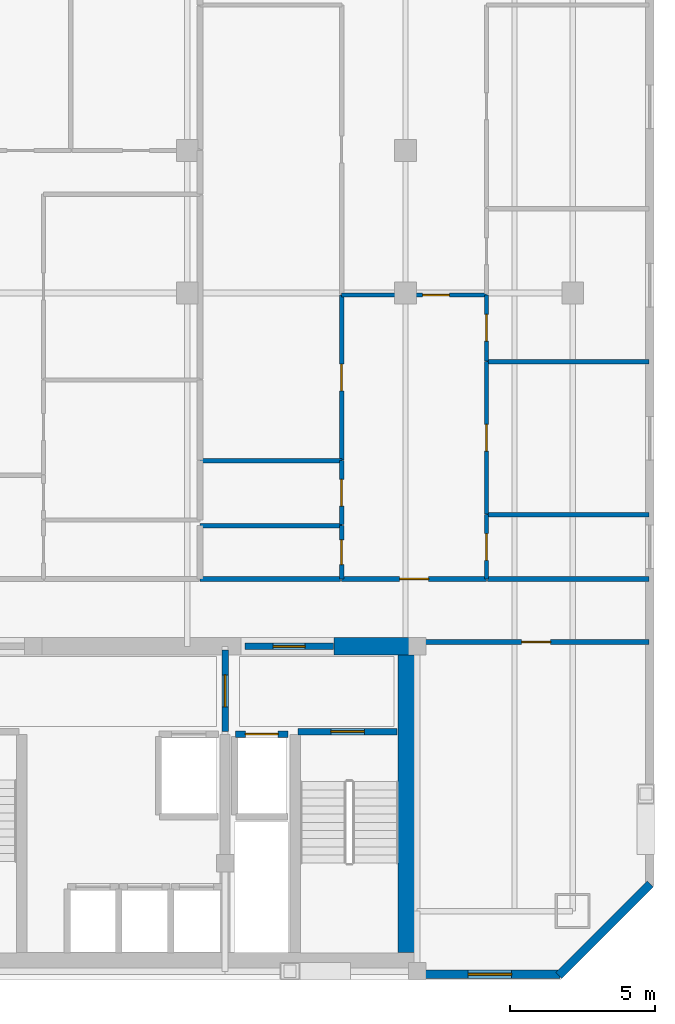
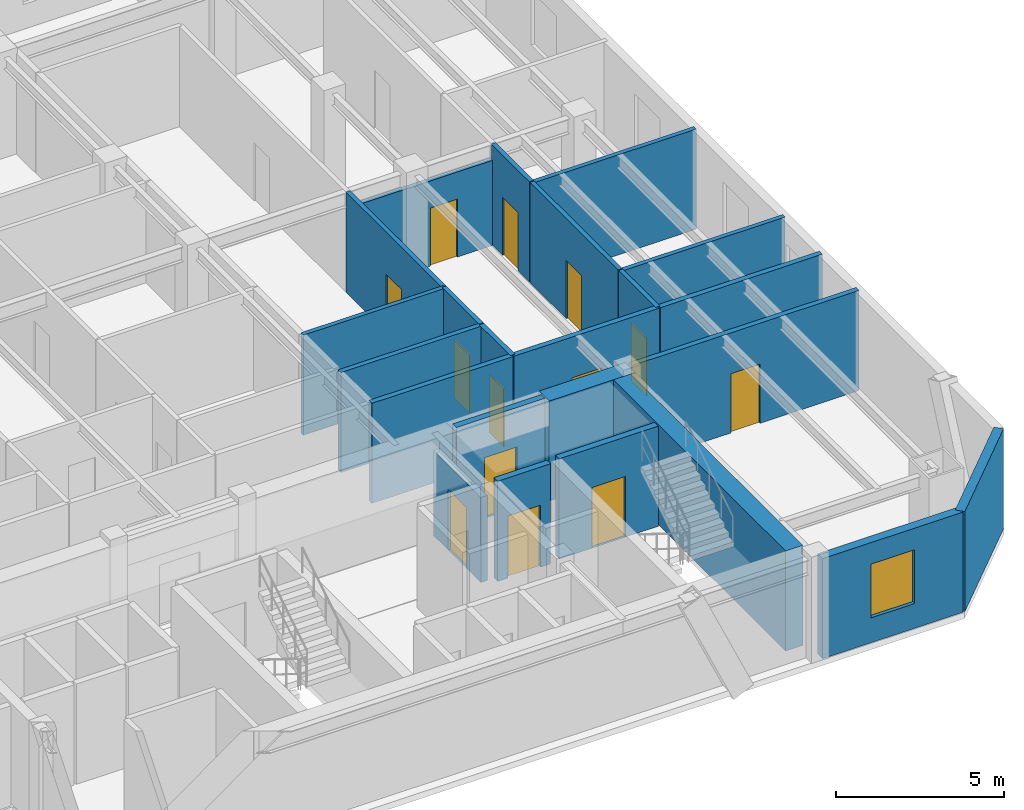
# One storey, part 5 of 8: 23 walls, 13 doors, 1 window, 14 openings.
"""IFC4 building model written with IfcOpenShell, lengths in metres."""

import ifcopenshell
import ifcopenshell.guid

model = None  # the IFC model being written
_history = None  # IfcOwnerHistory: only IFC2X3 demands one
_inside = {}  # id of a spatial element -> (the spatial element, [elements in it])
_under = {}  # id of a project, library or spatial element -> (it, [spatial elements below it])
_declared = {}  # id of a project -> (the project, [libraries it declares])
_typed = {}  # id of a type object -> (the type object, [elements of that type])
_made_of = {}  # id of a material, layer set ... -> (it, [elements and type objects made of it])


def new_model(schema):
    """Start an empty IFC model of exactly this schema.

    Asked for "IFC4X3", IfcOpenShell would pick the latest addendum, in which some entities
    have other attributes; the version numbers below select the first issue.
    IFC2X3 requires an IfcOwnerHistory on every rooted entity: one is made here for all.
    """
    global model, _history
    if schema == "IFC4X3":
        model = ifcopenshell.file(schema_version=(4, 3, 0, 0))
    else:
        model = ifcopenshell.file(schema=schema)
    _inside.clear()
    _under.clear()
    _declared.clear()
    _typed.clear()
    _made_of.clear()
    _history = None
    if model.schema == "IFC2X3":
        org = make("IfcOrganization", Name="unknown")
        user = make(
            "IfcPersonAndOrganization",
            ThePerson=make("IfcPerson", FamilyName="unknown"),
            TheOrganization=org,
        )
        app = make(
            "IfcApplication",
            ApplicationDeveloper=org,
            Version="unknown",
            ApplicationFullName="unknown",
            ApplicationIdentifier="unknown",
        )
        _history = make(
            "IfcOwnerHistory",
            OwningUser=user,
            OwningApplication=app,
            ChangeAction="ADDED",
            CreationDate=0,
        )
    return model


def make(cls, **values):
    """One entity of the class cls with the attributes given. An attribute that is None is left unset."""
    return model.create_entity(
        cls, **{name: value for name, value in values.items() if value is not None}
    )


def rooted(cls, **values):
    """An entity with a GlobalId (a new one), such as an element, a storey or a relation."""
    return make(cls, GlobalId=ifcopenshell.guid.new(), OwnerHistory=_history, **values)


def si_unit(unit_type, name, prefix=None):
    """IfcSIUnit, for example si_unit("LENGTHUNIT", "METRE", prefix="MILLI")."""
    return make("IfcSIUnit", UnitType=unit_type, Prefix=prefix, Name=name)


def assignment(units):
    """IfcUnitAssignment: the units of a project."""
    return None if units is None else make("IfcUnitAssignment", Units=units)


def point(xyz):
    """IfcCartesianPoint."""
    return None if xyz is None else make("IfcCartesianPoint", Coordinates=xyz)


def direction(xyz):
    """IfcDirection."""
    return None if xyz is None else make("IfcDirection", DirectionRatios=xyz)


def frame(location, z_axis=None, x_axis=None):
    """IfcAxis2Placement3D, a coordinate frame: its origin and axes. An axis left out is left unset."""
    return make(
        "IfcAxis2Placement3D",
        Location=point(location),
        Axis=direction(z_axis),
        RefDirection=direction(x_axis),
    )


def frame_2d(location, x_axis=None):
    """IfcAxis2Placement2D, a coordinate frame in the plane: its origin and x axis."""
    return make(
        "IfcAxis2Placement2D", Location=point(location), RefDirection=direction(x_axis)
    )


def origin():
    """The frame at (0, 0, 0) with its axes left unset."""
    return frame((0.0, 0.0, 0.0))


def place(relative_to, where):
    """IfcLocalPlacement: puts the frame where relative to a parent placement (None: the world)."""
    return make(
        "IfcLocalPlacement", PlacementRelTo=relative_to, RelativePlacement=where
    )


def context(
    kind, dimensions, precision=None, world=None, true_north=None, identifier=None
):
    """IfcGeometricRepresentationContext, for example the 3D "Model" context."""
    return make(
        "IfcGeometricRepresentationContext",
        ContextIdentifier=identifier,
        ContextType=kind,
        CoordinateSpaceDimension=dimensions,
        Precision=precision,
        WorldCoordinateSystem=world,
        TrueNorth=true_north,
    )


def subcontext(parent, identifier, kind, view, scale=None):
    """IfcGeometricRepresentationSubContext, for example "Body" below "Model"."""
    return make(
        "IfcGeometricRepresentationSubContext",
        ContextIdentifier=identifier,
        ContextType=kind,
        ParentContext=parent,
        TargetScale=scale,
        TargetView=view,
    )


def project(units=None, contexts=None):
    """IfcProject with its units and contexts."""
    return rooted(
        "IfcProject",
        Name="project",
        RepresentationContexts=contexts,
        UnitsInContext=assignment(units),
    )


def spatial(cls, under=None, at=None, **own):
    """A site, building, storey or space (cls), placed at a placement, below another one or the project."""
    s = rooted(cls, ObjectPlacement=at, **own)
    if under is not None:
        _under.setdefault(under.id(), (under, []))[1].append(s)
    return s


def profile(cls, at=None, kind="AREA", **sizes):
    """A parametric profile (cls). Its sizes go by their IFC names, for example OverallWidth=200.0."""
    return make(cls, ProfileType=kind, Position=at, **sizes)


def rectangle(**sizes):
    """IfcRectangleProfileDef."""
    return profile("IfcRectangleProfileDef", **sizes)


def extrude(swept, where, along, depth):
    """IfcExtrudedAreaSolid: the profile swept, set in the frame where, extruded along a direction by depth."""
    return make(
        "IfcExtrudedAreaSolid",
        SweptArea=swept,
        Position=where,
        ExtrudedDirection=direction(along),
        Depth=depth,
    )


def shape(context_of_items, identifier, shape_type, items):
    """IfcShapeRepresentation: the items that make up one representation, for example the "Body"."""
    return make(
        "IfcShapeRepresentation",
        ContextOfItems=context_of_items,
        RepresentationIdentifier=identifier,
        RepresentationType=shape_type,
        Items=items,
    )


def material(Name=None, Category=None):
    """IfcMaterial."""
    return make("IfcMaterial", Name=Name, Category=Category)


def layer(
    of_material, thickness, ventilated=None, Name=None, Category=None, Priority=None
):
    """IfcMaterialLayer: one layer of a wall or slab, of a material (None: an air gap)."""
    return make(
        "IfcMaterialLayer",
        Material=of_material,
        LayerThickness=thickness,
        IsVentilated=ventilated,
        Name=Name,
        Category=Category,
        Priority=Priority,
    )


def layer_set(layers, Name=None):
    """IfcMaterialLayerSet."""
    return make("IfcMaterialLayerSet", MaterialLayers=layers, LayerSetName=Name)


def made_of(thing, what):
    """Note that an element or type object is made of a material, layer set ...; save() writes the relation."""
    if what is not None:
        _made_of.setdefault(what.id(), (what, []))[1].append(thing)
    return thing


def type_object(cls, material=None, **own):
    """A type object (cls), such as IfcWallType, which elements share."""
    return made_of(rooted(cls, **own), material)


def element(
    cls,
    number,
    at=None,
    inside=None,
    cuts=None,
    type_object=None,
    material=None,
    context=None,
    identifier="Body",
    shape_type=None,
    held_by="IfcProductDefinitionShape",
    body=None,
    shapes=None,
    **own,
):
    """One element of the class cls, such as IfcWall. Its Tag is "e" and its number.

    at: its placement. inside: the storey or other place that contains it. cuts: it is an
    opening in that element (IfcRelVoidsElement). A single representation is given by context,
    identifier, shape_type and body (its items); several are given by shapes. held_by: the class
    of the entity that holds the representations. save() writes the other relations.
    """
    e = rooted(cls, Tag="e%d" % number, ObjectPlacement=at, **own)
    if body is not None:
        shapes = [shape(context, identifier, shape_type, body)]
    if shapes is not None:
        e.Representation = make(held_by, Representations=shapes)
    if inside is not None:
        _inside.setdefault(inside.id(), (inside, []))[1].append(e)
    if cuts is not None:
        rooted(
            "IfcRelVoidsElement", RelatingBuildingElement=cuts, RelatedOpeningElement=e
        )
    if type_object is not None:
        _typed.setdefault(type_object.id(), (type_object, []))[1].append(e)
    return made_of(e, material)


def fill(opening, filler):
    """IfcRelFillsElement: the door or window that sits in an opening."""
    return rooted(
        "IfcRelFillsElement",
        RelatingOpeningElement=opening,
        RelatedBuildingElement=filler,
    )


def aggregate(whole, parts):
    """IfcRelAggregates: a whole, such as a stair, and the parts it consists of."""
    return rooted("IfcRelAggregates", RelatingObject=whole, RelatedObjects=parts)


def save(model, path):
    """Write the relations noted so far, then the file.

    IfcRelAggregates (storeys below a building ...), IfcRelContainedInSpatialStructure (elements
    in a storey), IfcRelDefinesByType, IfcRelAssociatesMaterial and IfcRelDeclares: one each for
    every whole, place, type object, material and project.
    """
    for whole, parts in _under.values():
        aggregate(whole, parts)
    for where, things in _inside.values():
        rooted(
            "IfcRelContainedInSpatialStructure",
            RelatedElements=things,
            RelatingStructure=where,
        )
    for kind, things in _typed.values():
        rooted("IfcRelDefinesByType", RelatedObjects=things, RelatingType=kind)
    for what, things in _made_of.values():
        rooted("IfcRelAssociatesMaterial", RelatedObjects=things, RelatingMaterial=what)
    for by, libraries in _declared.values():
        rooted("IfcRelDeclares", RelatingContext=by, RelatedDefinitions=libraries)
    model.write(path)


model = new_model("IFC4")

# Units and contexts
model_context = context("Model", 3, precision=1e-05, world=origin(), true_north=direction((0.0, 1.0)))
body_context = subcontext(model_context, "Body", "Model", "MODEL_VIEW")
ifc_project = project(units=[si_unit("LENGTHUNIT", "METRE"), si_unit("AREAUNIT", "SQUARE_METRE"), si_unit("VOLUMEUNIT", "CUBIC_METRE"), si_unit("PLANEANGLEUNIT", "RADIAN"), si_unit("MASSUNIT", "GRAM", prefix="KILO")], contexts=[model_context])

# Site, building, storey
site_placement = place(None, origin())
site = spatial("IfcSite", under=ifc_project, at=site_placement, CompositionType="ELEMENT")
building_placement = place(site_placement, origin())
building = spatial("IfcBuilding", under=site, at=building_placement, Name="Ventersveld Concourse Tower", CompositionType="ELEMENT")
storey_placement = place(building_placement, frame((0.0, 0.0, 192.60009765625)))
storey = spatial("IfcBuildingStorey", under=building, at=storey_placement, Name="L47", CompositionType="ELEMENT", Elevation=192.60009765625)

# Walls
ifc_material_1 = material(Name="Concrete C50/60", Category="concrete")
ifc_layer_1 = layer(ifc_material_1, 0.60009765625)
ifc_layer_set_1 = layer_set([ifc_layer_1], Name="Concrete C50/60")
wall_type_1 = type_object("IfcWallType", Name="WL-CORE-600", PredefinedType="SHEAR", material=ifc_layer_set_1)
wall_1_placement = place(storey_placement, frame((43.800048828125, 0.919921875, 0.0), z_axis=(0.0, 0.0, 1.0), x_axis=(0.0, 1.0, 0.0)))
element("IfcWall", 1, at=wall_1_placement, inside=storey, type_object=wall_type_1, Name="L47 Rear Core East Shear Wall", PredefinedType="SHEAR", context=body_context, shape_type="SweptSolid", body=[
    extrude(rectangle(XDim=10.530029296875, YDim=0.60009765625, at=frame_2d((5.26513671875, 0.0))), origin(), (0.0, 0.0, 1.0), 3.6298828125),
])
wall_2_placement = place(storey_placement, frame((41.300048828125, 11.449951171875, 0.0), z_axis=(0.0, 0.0, 1.0), x_axis=(1.0, 0.0, 0.0)))
element("IfcWall", 2, at=wall_2_placement, inside=storey, type_object=wall_type_1, Name="L47 Rear Core North Shear Wall NE", PredefinedType="SHEAR", context=body_context, shape_type="SweptSolid", body=[
    extrude(rectangle(XDim=2.949951171875, YDim=0.60009765625, at=frame_2d((1.47509765625, 0.0))), origin(), (0.0, 0.0, 1.0), 3.6298828125),
])

# Wall, opening, door
ifc_material_2 = material(Name="Fire-rated autoclaved aerated masonry blockwork", Category="masonry")
ifc_layer_2 = layer(ifc_material_2, 0.179931640625)
ifc_layer_set_2 = layer_set([ifc_layer_2], Name="Fire-rated autoclaved aerated masonry blockwork")
wall_type_2 = type_object("IfcWallType", Name="WL-CORR-180", PredefinedType="PARTITIONING", material=ifc_layer_set_2)
wall_3_placement = place(storey_placement, frame((44.35498046875, 11.60009765625, 0.0), z_axis=(0.0, 0.0, 1.0), x_axis=(1.0, 0.0, 0.0)))
wall_3 = element("IfcWall", 3, at=wall_3_placement, inside=storey, type_object=wall_type_2, Name="L47 Interior Partition SP-L47-SE-OFF-SP-L47-COR", PredefinedType="PARTITIONING", context=body_context, shape_type="SweptSolid", body=[
    extrude(rectangle(XDim=7.7724609375, YDim=0.179931640625, at=frame_2d((3.88623046875, 0.0))), origin(), (0.0, 0.0, 1.0), 3.6298828125),
])
opening_1_placement = place(wall_3_placement, frame((3.38623046875, 0.0, 0.0)))
opening_1 = element("IfcOpeningElement", 4, at=opening_1_placement, cuts=wall_3, Name="Opening FD3", PredefinedType="OPENING", context=body_context, shape_type="SweptSolid", body=[
    extrude(rectangle(XDim=1.0, YDim=2.14990234375, at=frame_2d((0.5, 1.074951171875))), frame((0.0, 0.10009765625, 0.0), z_axis=(0.0, -1.0, 0.0), x_axis=(1.0, 0.0, 0.0)), (0.0, 0.0, 1.0), 0.199951171875),
])
ifc_material_3 = material(Name="Solid-core hardwood veneer timber", Category="wood")
door_type_1 = type_object("IfcDoorType", Name="DR-FLAT-100", OperationType="NOTDEFINED", PredefinedType="DOOR", material=ifc_material_3)
door_1_placement = place(opening_1_placement, origin())
door_1 = element("IfcDoor", 5, at=door_1_placement, inside=storey, type_object=door_type_1, Name="L47 Interior Door SP-L47-SE-OFF to SP-L47-COR (D-L47-2297)", OperationType="SINGLE_SWING_LEFT", OverallHeight=2.14990234375, OverallWidth=1.0, PredefinedType="DOOR", context=body_context, shape_type="SweptSolid", body=[
    extrude(rectangle(XDim=1.0, YDim=2.14990234375, at=frame_2d((0.5, 1.074951171875))), frame((0.0, 0.02490234375, 0.0), z_axis=(0.0, -1.0, 0.0), x_axis=(1.0, 0.0, 0.0)), (0.0, 0.0, 1.0), 0.050048828125),
])
fill(opening_1, door_1)

wall_4_placement = place(storey_placement, frame((41.5546875, 13.77001953125, 0.0), z_axis=(0.0, 0.0, 1.0), x_axis=(1.0, 0.0, 0.0)))
wall_4 = element("IfcWall", 6, at=wall_4_placement, inside=storey, type_object=wall_type_2, Name="L47 Interior Partition SP-L47-COR-SP-L47-47CE-FOY", PredefinedType="PARTITIONING", context=body_context, shape_type="SweptSolid", body=[
    extrude(rectangle(XDim=4.989990234375, YDim=0.179931640625, at=frame_2d((2.4951171875, 0.0))), origin(), (0.0, 0.0, 1.0), 3.6298828125),
])
opening_2_placement = place(wall_4_placement, frame((1.9951171875, 0.0, 0.0)))
opening_2 = element("IfcOpeningElement", 7, at=opening_2_placement, cuts=wall_4, Name="Opening FD3", PredefinedType="OPENING", context=body_context, shape_type="SweptSolid", body=[
    extrude(rectangle(XDim=1.0, YDim=2.14990234375, at=frame_2d((0.5, 1.074951171875))), frame((0.0, 0.10009765625, 0.0), z_axis=(0.0, -1.0, 0.0), x_axis=(1.0, 0.0, 0.0)), (0.0, 0.0, 1.0), 0.199951171875),
])
door_2_placement = place(opening_2_placement, origin())
door_2 = element("IfcDoor", 8, at=door_2_placement, inside=storey, type_object=door_type_1, Name="L47 Interior Door SP-L47-COR to SP-L47-47CE-FOY (FD-L47-2299)", OperationType="SINGLE_SWING_LEFT", OverallHeight=2.14990234375, OverallWidth=1.0, PredefinedType="DOOR", context=body_context, shape_type="SweptSolid", body=[
    extrude(rectangle(XDim=1.0, YDim=2.14990234375, at=frame_2d((0.5, 1.074951171875))), frame((0.0, 0.02490234375, 0.0), z_axis=(0.0, -1.0, 0.0), x_axis=(1.0, 0.0, 0.0)), (0.0, 0.0, 1.0), 0.050048828125),
])
fill(opening_2, door_2)

# Walls
wall_5_placement = place(storey_placement, frame((36.68505859375, 13.77001953125, 0.0), z_axis=(0.0, 0.0, 1.0), x_axis=(1.0, 0.0, 0.0)))
element("IfcWall", 9, at=wall_5_placement, inside=storey, type_object=wall_type_2, Name="L47 Interior Partition SP-L47-COR-SP-L47-47CE-BATH", PredefinedType="PARTITIONING", context=body_context, shape_type="SweptSolid", body=[
    extrude(rectangle(XDim=4.839599609375, YDim=0.179931640625, at=frame_2d((2.419921875, 0.0))), origin(), (0.0, 0.0, 1.0), 3.6298828125),
])
wall_6_placement = place(storey_placement, frame((46.57470703125, 13.77001953125, 0.0), z_axis=(0.0, 0.0, 1.0), x_axis=(1.0, 0.0, 0.0)))
element("IfcWall", 10, at=wall_6_placement, inside=storey, type_object=wall_type_2, Name="L47 Interior Partition SP-L47-COR-SP-L47-47CE-KIT", PredefinedType="PARTITIONING", context=body_context, shape_type="SweptSolid", body=[
    extrude(rectangle(XDim=5.552734375, YDim=0.179931640625, at=frame_2d((2.7763671875, 0.0))), origin(), (0.0, 0.0, 1.0), 3.6298828125),
])

# Wall, opening, door
ifc_layer_3 = layer(ifc_material_2, 0.219970703125)
ifc_layer_set_3 = layer_set([ifc_layer_3], Name="Fire-rated autoclaved aerated masonry blockwork")
wall_type_3 = type_object("IfcWallType", Name="WL-HOIST-220", PredefinedType="SOLIDWALL", material=ifc_layer_set_3)
wall_7_placement = place(storey_placement, frame((37.89990234375, 8.429931640625, 0.0), z_axis=(0.0, 0.0, 1.0), x_axis=(1.0, 0.0, 0.0)))
wall_7 = element("IfcWall", 11, at=wall_7_placement, inside=storey, type_object=wall_type_3, Name="L47 Lift Hoistway Front Wall FFL-02", PredefinedType="SOLIDWALL", context=body_context, shape_type="SweptSolid", body=[
    extrude(rectangle(XDim=1.820068359375, YDim=0.219970703125, at=frame_2d((0.91015625, 0.0))), origin(), (0.0, 0.0, 1.0), 3.6298828125),
])
opening_3_placement = place(wall_7_placement, frame((0.35009765625, 0.0, 0.0)))
opening_3 = element("IfcOpeningElement", 12, at=opening_3_placement, cuts=wall_7, Name="Opening LD1", PredefinedType="OPENING", context=body_context, shape_type="SweptSolid", body=[
    extrude(rectangle(XDim=1.1201171875, YDim=2.25, at=frame_2d((0.56005859375, 1.125))), frame((0.0, 0.1201171875, 0.0), z_axis=(0.0, -1.0, 0.0), x_axis=(1.0, 0.0, 0.0)), (0.0, 0.0, 1.0), 0.239990234375),
])
ifc_material_4 = material(Name="Brushed stainless steel 316", Category="steel")
door_type_2 = type_object("IfcDoorType", Name="LD-FF-112", OperationType="SLIDING_TO_LEFT", PredefinedType="DOOR", material=ifc_material_4)
door_3_placement = place(opening_3_placement, origin())
door_3 = element("IfcDoor", 13, at=door_3_placement, inside=storey, type_object=door_type_2, Name="L47 Lift landing door FFL-02 (LD-L47-FFL-02)", OperationType="SLIDING_TO_RIGHT", OverallHeight=2.25, OverallWidth=1.1201171875, PredefinedType="DOOR", context=body_context, shape_type="SweptSolid", body=[
    extrude(rectangle(XDim=1.1201171875, YDim=2.25, at=frame_2d((0.56005859375, 1.125))), frame((0.0, 0.02490234375, 0.0), z_axis=(0.0, -1.0, 0.0), x_axis=(1.0, 0.0, 0.0)), (0.0, 0.0, 1.0), 0.050048828125),
])
fill(opening_3, door_3)

wall_8_placement = place(storey_placement, frame((40.06005859375, 8.52001953125, 0.0), z_axis=(0.0, 0.0, 1.0), x_axis=(1.0, 0.0, 0.0)))
wall_8 = element("IfcWall", 14, at=wall_8_placement, inside=storey, type_object=wall_type_3, Name="L47 Escape Stair ST02 Fire Wall", PredefinedType="SOLIDWALL", context=body_context, shape_type="SweptSolid", body=[
    extrude(rectangle(XDim=3.39990234375, YDim=0.219970703125, at=frame_2d((1.699951171875, 0.0))), origin(), (0.0, 0.0, 1.0), 3.6298828125),
])
opening_4_placement = place(wall_8_placement, frame((1.125, 0.0, 0.0)))
opening_4 = element("IfcOpeningElement", 15, at=opening_4_placement, cuts=wall_8, Name="Opening FD1", PredefinedType="OPENING", context=body_context, shape_type="SweptSolid", body=[
    extrude(rectangle(XDim=1.14990234375, YDim=2.199951171875, at=frame_2d((0.574951171875, 1.10009765625))), frame((0.0, 0.1201171875, 0.0), z_axis=(0.0, -1.0, 0.0), x_axis=(1.0, 0.0, 0.0)), (0.0, 0.0, 1.0), 0.239990234375),
])
ifc_material_5 = material(Name="Galvanised painted steel", Category="steel")
door_type_3 = type_object("IfcDoorType", Name="DR-STAIR-115", OperationType="NOTDEFINED", PredefinedType="DOOR", material=ifc_material_5)
door_4_placement = place(opening_4_placement, origin())
door_4 = element("IfcDoor", 16, at=door_4_placement, inside=storey, type_object=door_type_3, Name="L47 Escape Stair Door ST02 (SD-L47-2288)", OperationType="SINGLE_SWING_RIGHT", OverallHeight=2.199951171875, OverallWidth=1.14990234375, PredefinedType="DOOR", context=body_context, shape_type="SweptSolid", body=[
    extrude(rectangle(XDim=1.14990234375, YDim=2.199951171875, at=frame_2d((0.574951171875, 1.10009765625))), frame((0.0, 0.02490234375, 0.0), z_axis=(0.0, -1.0, 0.0), x_axis=(1.0, 0.0, 0.0)), (0.0, 0.0, 1.0), 0.050048828125),
])
fill(opening_4, door_4)

wall_9_placement = place(storey_placement, frame((37.550048828125, 8.52001953125, 0.0), z_axis=(0.0, 0.0, 1.0), x_axis=(0.0, 1.0, 0.0)))
wall_9 = element("IfcWall", 17, at=wall_9_placement, inside=storey, type_object=wall_type_3, Name="L47 Firefighting Lobby Smoke-Stop Wall FFLE-SEP", PredefinedType="SOLIDWALL", context=body_context, shape_type="SweptSolid", body=[
    extrude(rectangle(XDim=2.800048828125, YDim=0.219970703125, at=frame_2d((1.39990234375, 0.0))), origin(), (0.0, 0.0, 1.0), 3.08544921875),
])
opening_5_placement = place(wall_9_placement, frame((0.85009765625, 0.0, 0.0)))
opening_5 = element("IfcOpeningElement", 18, at=opening_5_placement, cuts=wall_9, Name="Opening FD2", PredefinedType="OPENING", context=body_context, shape_type="SweptSolid", body=[
    extrude(rectangle(XDim=1.10009765625, YDim=2.199951171875, at=frame_2d((0.550048828125, 1.10009765625))), frame((0.0, 0.1201171875, 0.0), z_axis=(0.0, -1.0, 0.0), x_axis=(1.0, 0.0, 0.0)), (0.0, 0.0, 1.0), 0.239990234375),
])
door_type_4 = type_object("IfcDoorType", Name="DR-FFL-110", OperationType="NOTDEFINED", PredefinedType="DOOR", material=ifc_material_5)
door_5_placement = place(opening_5_placement, origin())
door_5 = element("IfcDoor", 19, at=door_5_placement, inside=storey, type_object=door_type_4, Name="L47 Firefighting Lobby Door FFLE-SEP (FD-L47-2291)", OperationType="SINGLE_SWING_RIGHT", OverallHeight=2.199951171875, OverallWidth=1.10009765625, PredefinedType="DOOR", context=body_context, shape_type="SweptSolid", body=[
    extrude(rectangle(XDim=1.10009765625, YDim=2.199951171875, at=frame_2d((0.550048828125, 1.10009765625))), frame((0.0, 0.02490234375, 0.0), z_axis=(0.0, -1.0, 0.0), x_axis=(1.0, 0.0, 0.0)), (0.0, 0.0, 1.0), 0.050048828125),
])
fill(opening_5, door_5)

wall_10_placement = place(storey_placement, frame((38.22998046875, 11.449951171875, 0.0), z_axis=(0.0, 0.0, 1.0), x_axis=(1.0, 0.0, 0.0)))
wall_10 = element("IfcWall", 20, at=wall_10_placement, inside=storey, type_object=wall_type_3, Name="L47 Core North Fire Portal FFLE-OUT", PredefinedType="SOLIDWALL", context=body_context, shape_type="SweptSolid", body=[
    extrude(rectangle(XDim=3.0400390625, YDim=0.219970703125, at=frame_2d((1.52001953125, 0.0))), origin(), (0.0, 0.0, 1.0), 3.6298828125),
])
opening_6_placement = place(wall_10_placement, frame((0.969970703125, 0.0, 0.0)))
opening_6 = element("IfcOpeningElement", 21, at=opening_6_placement, cuts=wall_10, Name="Opening FD2", PredefinedType="OPENING", context=body_context, shape_type="SweptSolid", body=[
    extrude(rectangle(XDim=1.10009765625, YDim=2.199951171875, at=frame_2d((0.550048828125, 1.10009765625))), frame((0.0, 0.1201171875, 0.0), z_axis=(0.0, -1.0, 0.0), x_axis=(1.0, 0.0, 0.0)), (0.0, 0.0, 1.0), 0.239990234375),
])
door_6_placement = place(opening_6_placement, origin())
door_6 = element("IfcDoor", 22, at=door_6_placement, inside=storey, type_object=door_type_4, Name="L47 Core Lobby Fire Door FFLE-OUT (FD-L47-2294)", OperationType="SINGLE_SWING_LEFT", OverallHeight=2.199951171875, OverallWidth=1.10009765625, PredefinedType="DOOR", context=body_context, shape_type="SweptSolid", body=[
    extrude(rectangle(XDim=1.10009765625, YDim=2.199951171875, at=frame_2d((0.550048828125, 1.10009765625))), frame((0.0, 0.02490234375, 0.0), z_axis=(0.0, -1.0, 0.0), x_axis=(1.0, 0.0, 0.0)), (0.0, 0.0, 1.0), 0.050048828125),
])
fill(opening_6, door_6)

ifc_material_6 = material(Name="Autoclaved aerated masonry blockwork", Category="masonry")
ifc_layer_4 = layer(ifc_material_6, 0.14990234375)
ifc_layer_set_4 = layer_set([ifc_layer_4], Name="Autoclaved aerated masonry blockwork")
wall_type_4 = type_object("IfcWallType", Name="WL-INT-150", PredefinedType="PARTITIONING", material=ifc_layer_set_4)
wall_11_placement = place(storey_placement, frame((41.5546875, 23.5283203125, 0.0), z_axis=(0.0, 0.0, 1.0), x_axis=(1.0, 0.0, 0.0)))
wall_11 = element("IfcWall", 23, at=wall_11_placement, inside=storey, type_object=wall_type_4, Name="L47 Interior Partition SP-L47-47CE-FOY-SP-L47-47CE-LIV", PredefinedType="PARTITIONING", context=body_context, shape_type="SweptSolid", body=[
    extrude(rectangle(XDim=4.989990234375, YDim=0.14990234375, at=frame_2d((2.4951171875, 0.0))), origin(), (0.0, 0.0, 1.0), 3.08544921875),
])
opening_7_placement = place(wall_11_placement, frame((2.783447265625, 0.0, 0.0)))
opening_7 = element("IfcOpeningElement", 24, at=opening_7_placement, cuts=wall_11, Name="Opening ID1", PredefinedType="OPENING", context=body_context, shape_type="SweptSolid", body=[
    extrude(rectangle(XDim=0.919921875, YDim=2.10009765625, at=frame_2d((0.4599609375, 1.050048828125))), frame((0.0, 0.0849609375, 0.0), z_axis=(0.0, -1.0, 0.0), x_axis=(1.0, 0.0, 0.0)), (0.0, 0.0, 1.0), 0.169921875),
])
door_type_5 = type_object("IfcDoorType", Name="DR-ROOM-092", OperationType="NOTDEFINED", PredefinedType="DOOR", material=ifc_material_3)
door_7_placement = place(opening_7_placement, origin())
door_7 = element("IfcDoor", 25, at=door_7_placement, inside=storey, type_object=door_type_5, Name="L47 Interior Door SP-L47-47CE-FOY to SP-L47-47CE-LIV (D-L47-2310)", OperationType="SINGLE_SWING_RIGHT", OverallHeight=2.10009765625, OverallWidth=0.919921875, PredefinedType="DOOR", context=body_context, shape_type="SweptSolid", body=[
    extrude(rectangle(XDim=0.919921875, YDim=2.10009765625, at=frame_2d((0.4599609375, 1.050048828125))), frame((0.0, 0.02490234375, 0.0), z_axis=(0.0, -1.0, 0.0), x_axis=(1.0, 0.0, 0.0)), (0.0, 0.0, 1.0), 0.050048828125),
])
fill(opening_7, door_7)

wall_12_placement = place(storey_placement, frame((41.5595703125, 15.635009765625, 0.0), z_axis=(0.0, 0.0, 1.0), x_axis=(0.0, 1.0, 0.0)))
wall_12 = element("IfcWall", 26, at=wall_12_placement, inside=storey, type_object=wall_type_4, Name="L47 Interior Partition SP-L47-47CE-FOY-SP-L47-47CE-PANL0", PredefinedType="PARTITIONING", context=body_context, shape_type="SweptSolid", body=[
    extrude(rectangle(XDim=2.197021484375, YDim=0.14990234375, at=frame_2d((1.0986328125, 0.0))), origin(), (0.0, 0.0, 1.0), 3.6298828125),
])
opening_8_placement = place(wall_12_placement, frame((0.638671875, 0.0, 0.0)))
opening_8 = element("IfcOpeningElement", 27, at=opening_8_placement, cuts=wall_12, Name="Opening ID1", PredefinedType="OPENING", context=body_context, shape_type="SweptSolid", body=[
    extrude(rectangle(XDim=0.919921875, YDim=2.10009765625, at=frame_2d((0.4599609375, 1.050048828125))), frame((0.0, 0.0849609375, 0.0), z_axis=(0.0, -1.0, 0.0), x_axis=(1.0, 0.0, 0.0)), (0.0, 0.0, 1.0), 0.169921875),
])
door_8_placement = place(opening_8_placement, origin())
door_8 = element("IfcDoor", 28, at=door_8_placement, inside=storey, type_object=door_type_5, Name="L47 Interior Door SP-L47-47CE-FOY to SP-L47-47CE-PANL0 (D-L47-2312)", OperationType="SINGLE_SWING_RIGHT", OverallHeight=2.10009765625, OverallWidth=0.919921875, PredefinedType="DOOR", context=body_context, shape_type="SweptSolid", body=[
    extrude(rectangle(XDim=0.919921875, YDim=2.10009765625, at=frame_2d((0.4599609375, 1.050048828125))), frame((0.0, 0.02490234375, 0.0), z_axis=(0.0, -1.0, 0.0), x_axis=(1.0, 0.0, 0.0)), (0.0, 0.0, 1.0), 0.050048828125),
])
fill(opening_8, door_8)

wall_13_placement = place(storey_placement, frame((41.5595703125, 17.862060546875, 0.0), z_axis=(0.0, 0.0, 1.0), x_axis=(0.0, 1.0, 0.0)))
wall_13 = element("IfcWall", 29, at=wall_13_placement, inside=storey, type_object=wall_type_4, Name="L47 Interior Partition SP-L47-47CE-FOY-SP-L47-47CE-DENL", PredefinedType="PARTITIONING", context=body_context, shape_type="SweptSolid", body=[
    extrude(rectangle(XDim=5.671142578125, YDim=0.14990234375, at=frame_2d((2.83544921875, 0.0))), origin(), (0.0, 0.0, 1.0), 3.6298828125),
])
opening_9_placement = place(wall_13_placement, frame((2.37548828125, 0.0, 0.0)))
opening_9 = element("IfcOpeningElement", 30, at=opening_9_placement, cuts=wall_13, Name="Opening ID1", PredefinedType="OPENING", context=body_context, shape_type="SweptSolid", body=[
    extrude(rectangle(XDim=0.919921875, YDim=2.10009765625, at=frame_2d((0.4599609375, 1.050048828125))), frame((0.0, 0.0849609375, 0.0), z_axis=(0.0, -1.0, 0.0), x_axis=(1.0, 0.0, 0.0)), (0.0, 0.0, 1.0), 0.169921875),
])
door_9_placement = place(opening_9_placement, origin())
door_9 = element("IfcDoor", 31, at=door_9_placement, inside=storey, type_object=door_type_5, Name="L47 Interior Door SP-L47-47CE-FOY to SP-L47-47CE-DENL (D-L47-2313)", OperationType="SINGLE_SWING_LEFT", OverallHeight=2.10009765625, OverallWidth=0.919921875, PredefinedType="DOOR", context=body_context, shape_type="SweptSolid", body=[
    extrude(rectangle(XDim=0.919921875, YDim=2.10009765625, at=frame_2d((0.4599609375, 1.050048828125))), frame((0.0, 0.02490234375, 0.0), z_axis=(0.0, -1.0, 0.0), x_axis=(1.0, 0.0, 0.0)), (0.0, 0.0, 1.0), 0.050048828125),
])
fill(opening_9, door_9)

wall_14_placement = place(storey_placement, frame((46.53955078125, 13.764892578125, 0.0), z_axis=(0.0, 0.0, 1.0), x_axis=(0.0, 1.0, 0.0)))
wall_14 = element("IfcWall", 32, at=wall_14_placement, inside=storey, type_object=wall_type_4, Name="L47 Interior Partition SP-L47-47CE-FOY-SP-L47-47CE-KIT", PredefinedType="PARTITIONING", context=body_context, shape_type="SweptSolid", body=[
    extrude(rectangle(XDim=2.2109375, YDim=0.14990234375, at=frame_2d((1.10546875, 0.0))), origin(), (0.0, 0.0, 1.0), 3.6298828125),
])
opening_10_placement = place(wall_14_placement, frame((0.6455078125, 0.0, 0.0)))
opening_10 = element("IfcOpeningElement", 33, at=opening_10_placement, cuts=wall_14, Name="Opening ID1", PredefinedType="OPENING", context=body_context, shape_type="SweptSolid", body=[
    extrude(rectangle(XDim=0.919921875, YDim=2.10009765625, at=frame_2d((0.4599609375, 1.050048828125))), frame((0.0, 0.0849609375, 0.0), z_axis=(0.0, -1.0, 0.0), x_axis=(1.0, 0.0, 0.0)), (0.0, 0.0, 1.0), 0.169921875),
])
door_10_placement = place(opening_10_placement, origin())
door_10 = element("IfcDoor", 34, at=door_10_placement, inside=storey, type_object=door_type_5, Name="L47 Interior Door SP-L47-47CE-FOY to SP-L47-47CE-KIT (D-L47-2314)", OperationType="SINGLE_SWING_RIGHT", OverallHeight=2.10009765625, OverallWidth=0.919921875, PredefinedType="DOOR", context=body_context, shape_type="SweptSolid", body=[
    extrude(rectangle(XDim=0.919921875, YDim=2.10009765625, at=frame_2d((0.4599609375, 1.050048828125))), frame((0.0, 0.02490234375, 0.0), z_axis=(0.0, -1.0, 0.0), x_axis=(1.0, 0.0, 0.0)), (0.0, 0.0, 1.0), 0.050048828125),
])
fill(opening_10, door_10)

wall_15_placement = place(storey_placement, frame((46.53955078125, 16.005859375, 0.0), z_axis=(0.0, 0.0, 1.0), x_axis=(0.0, 1.0, 0.0)))
wall_15 = element("IfcWall", 35, at=wall_15_placement, inside=storey, type_object=wall_type_4, Name="L47 Interior Partition SP-L47-47CE-FOY-SP-L47-47CE-DENR", PredefinedType="PARTITIONING", context=body_context, shape_type="SweptSolid", body=[
    extrude(rectangle(XDim=5.233642578125, YDim=0.14990234375, at=frame_2d((2.61669921875, 0.0))), origin(), (0.0, 0.0, 1.0), 3.6298828125),
])
opening_11_placement = place(wall_15_placement, frame((2.15673828125, 0.0, 0.0)))
opening_11 = element("IfcOpeningElement", 36, at=opening_11_placement, cuts=wall_15, Name="Opening ID1", PredefinedType="OPENING", context=body_context, shape_type="SweptSolid", body=[
    extrude(rectangle(XDim=0.919921875, YDim=2.10009765625, at=frame_2d((0.4599609375, 1.050048828125))), frame((0.0, 0.0849609375, 0.0), z_axis=(0.0, -1.0, 0.0), x_axis=(1.0, 0.0, 0.0)), (0.0, 0.0, 1.0), 0.169921875),
])
door_11_placement = place(opening_11_placement, origin())
door_11 = element("IfcDoor", 37, at=door_11_placement, inside=storey, type_object=door_type_5, Name="L47 Interior Door SP-L47-47CE-FOY to SP-L47-47CE-DENR (D-L47-2315)", OperationType="SINGLE_SWING_LEFT", OverallHeight=2.10009765625, OverallWidth=0.919921875, PredefinedType="DOOR", context=body_context, shape_type="SweptSolid", body=[
    extrude(rectangle(XDim=0.919921875, YDim=2.10009765625, at=frame_2d((0.4599609375, 1.050048828125))), frame((0.0, 0.02490234375, 0.0), z_axis=(0.0, -1.0, 0.0), x_axis=(1.0, 0.0, 0.0)), (0.0, 0.0, 1.0), 0.050048828125),
])
fill(opening_11, door_11)

wall_16_placement = place(storey_placement, frame((46.53955078125, 21.26953125, 0.0), z_axis=(0.0, 0.0, 1.0), x_axis=(0.0, 1.0, 0.0)))
wall_16 = element("IfcWall", 38, at=wall_16_placement, inside=storey, type_object=wall_type_4, Name="L47 Interior Partition SP-L47-47CE-FOY-SP-L47-47CE-DENS", PredefinedType="PARTITIONING", context=body_context, shape_type="SweptSolid", body=[
    extrude(rectangle(XDim=2.263671875, YDim=0.14990234375, at=frame_2d((1.1318359375, 0.0))), origin(), (0.0, 0.0, 1.0), 3.6298828125),
])
opening_12_placement = place(wall_16_placement, frame((0.671875, 0.0, 0.0)))
opening_12 = element("IfcOpeningElement", 39, at=opening_12_placement, cuts=wall_16, Name="Opening ID1", PredefinedType="OPENING", context=body_context, shape_type="SweptSolid", body=[
    extrude(rectangle(XDim=0.919921875, YDim=2.10009765625, at=frame_2d((0.4599609375, 1.050048828125))), frame((0.0, 0.0849609375, 0.0), z_axis=(0.0, -1.0, 0.0), x_axis=(1.0, 0.0, 0.0)), (0.0, 0.0, 1.0), 0.169921875),
])
door_12_placement = place(opening_12_placement, origin())
door_12 = element("IfcDoor", 40, at=door_12_placement, inside=storey, type_object=door_type_5, Name="L47 Interior Door SP-L47-47CE-FOY to SP-L47-47CE-DENS (D-L47-2316)", OperationType="SINGLE_SWING_RIGHT", OverallHeight=2.10009765625, OverallWidth=0.919921875, PredefinedType="DOOR", context=body_context, shape_type="SweptSolid", body=[
    extrude(rectangle(XDim=0.919921875, YDim=2.10009765625, at=frame_2d((0.4599609375, 1.050048828125))), frame((0.0, 0.02490234375, 0.0), z_axis=(0.0, -1.0, 0.0), x_axis=(1.0, 0.0, 0.0)), (0.0, 0.0, 1.0), 0.050048828125),
])
fill(opening_12, door_12)

# Walls
wall_17_placement = place(storey_placement, frame((36.68505859375, 17.8271484375, 0.0), z_axis=(0.0, 0.0, 1.0), x_axis=(1.0, 0.0, 0.0)))
element("IfcWall", 41, at=wall_17_placement, inside=storey, type_object=wall_type_4, Name="L47 Interior Partition SP-L47-47CE-PANL0-SP-L47-47CE-DENL", PredefinedType="PARTITIONING", context=body_context, shape_type="SweptSolid", body=[
    extrude(rectangle(XDim=4.879638671875, YDim=0.14990234375, at=frame_2d((2.43994140625, 0.0))), origin(), (0.0, 0.0, 1.0), 3.6298828125),
])
for number, where, z_axis, x_axis, name in (
    (42, (46.53466796875, 15.970947265625, 0.0), (0.0, 0.0, 1.0), (1.0, 0.0, 0.0), "L47 Interior Partition SP-L47-47CE-KIT-SP-L47-47CE-DENR"),
    (43, (46.53466796875, 21.234619140625, 0.0), (0.0, 0.0, 1.0), (1.0, 0.0, 0.0), "L47 Interior Partition SP-L47-47CE-DENR-SP-L47-47CE-DENS"),
):
    element("IfcWall", number, at=place(storey_placement, frame(where, z_axis=z_axis, x_axis=x_axis)), inside=storey, type_object=wall_type_4, Name=name, PredefinedType="PARTITIONING", context=body_context, shape_type="SweptSolid", body=[
        extrude(rectangle(XDim=5.5927734375, YDim=0.14990234375, at=frame_2d((2.79638671875, 0.0))), origin(), (0.0, 0.0, 1.0), 3.6298828125),
    ])

# Wall, opening, window
ifc_material_7 = material(Name="Precast concrete C45/55", Category="concrete")
ifc_layer_5 = layer(ifc_material_7, 0.300048828125)
ifc_layer_set_5 = layer_set([ifc_layer_5], Name="Precast concrete C45/55")
wall_type_5 = type_object("IfcWallType", Name="WL-PREC-300", PredefinedType="SOLIDWALL", material=ifc_layer_set_5)
wall_18_placement = place(storey_placement, frame((44.25, 0.179931640625, 0.0), z_axis=(0.0, 0.0, 1.0), x_axis=(1.0, 0.0, 0.0)))
wall_18 = element("IfcWall", 44, at=wall_18_placement, inside=storey, type_object=wall_type_5, Name="L47 South-East Flank Precast Wall", PredefinedType="SOLIDWALL", context=body_context, shape_type="SweptSolid", body=[
    extrude(rectangle(XDim=4.81005859375, YDim=0.300048828125, at=frame_2d((2.405029296875, 0.0))), origin(), (0.0, 0.0, 1.0), 3.6298828125),
])
opening_13_placement = place(wall_18_placement, frame((1.655029296875, 0.0, 0.89990234375)))
opening_13 = element("IfcOpeningElement", 45, at=opening_13_placement, cuts=wall_18, Name="Opening W1", PredefinedType="OPENING", context=body_context, shape_type="SweptSolid", body=[
    extrude(rectangle(XDim=1.5, YDim=1.949951171875, at=frame_2d((0.75, 0.97509765625))), frame((0.0, 0.16015625, 0.0), z_axis=(0.0, -1.0, 0.0), x_axis=(1.0, 0.0, 0.0)), (0.0, 0.0, 1.0), 0.320068359375),
])
ifc_material_8 = material(Name="Tempered acoustic Low-E IGU", Category="glass")
window_type = type_object("IfcWindowType", Name="WIN-150x210", PartitioningType="SINGLE_PANEL", PredefinedType="WINDOW", material=ifc_material_8)
window_placement = place(opening_13_placement, origin())
window = element("IfcWindow", 46, at=window_placement, inside=storey, type_object=window_type, Name="L47 Punched Low-E Window W-0652", OverallHeight=1.949951171875, OverallWidth=1.5, PartitioningType="SINGLE_PANEL", PredefinedType="WINDOW", context=body_context, shape_type="SweptSolid", body=[
    extrude(rectangle(XDim=1.5, YDim=1.949951171875, at=frame_2d((0.75, 0.97509765625))), frame((0.0, 0.030029296875, 0.0), z_axis=(0.0, -1.0, 0.0), x_axis=(1.0, 0.0, 0.0)), (0.0, 0.0, 1.0), 0.06005859375),
])
fill(opening_13, window)

# Wall
wall_19_placement = place(storey_placement, frame((49.022216796875, 0.134521484375, 0.0), z_axis=(0.0, 0.0, 1.0), x_axis=(0.707106781187, 0.707106781187, 0.0)))
element("IfcWall", 47, at=wall_19_placement, inside=storey, type_object=wall_type_5, Name="L47 Highveld Precast Facade Wall E02", PredefinedType="SOLIDWALL", context=body_context, shape_type="SweptSolid", body=[
    extrude(rectangle(XDim=4.4453125, YDim=0.300048828125, at=frame_2d((2.22265625, 0.0))), origin(), (0.0, 0.0, 1.0), 3.6298828125),
])

# Wall, opening, door
ifc_layer_6 = layer(ifc_material_6, 0.1650390625)
ifc_layer_set_6 = layer_set([ifc_layer_6], Name="Autoclaved aerated masonry blockwork")
wall_type_6 = type_object("IfcWallType", Name="WL-WET-165", PredefinedType="PLUMBINGWALL", material=ifc_layer_set_6)
wall_20_placement = place(storey_placement, frame((41.5595703125, 13.764892578125, 0.0), z_axis=(0.0, 0.0, 1.0), x_axis=(0.0, 1.0, 0.0)))
wall_20 = element("IfcWall", 48, at=wall_20_placement, inside=storey, type_object=wall_type_6, Name="L47 Interior Partition SP-L47-47CE-FOY-SP-L47-47CE-BATH", PredefinedType="PLUMBINGWALL", context=body_context, shape_type="SweptSolid", body=[
    extrude(rectangle(XDim=1.840087890625, YDim=0.1650390625, at=frame_2d((0.919921875, 0.0))), origin(), (0.0, 0.0, 1.0), 3.6298828125),
])
opening_14_placement = place(wall_20_placement, frame((0.4951171875, 0.0, 0.0)))
opening_14 = element("IfcOpeningElement", 49, at=opening_14_placement, cuts=wall_20, Name="Opening ID2", PredefinedType="OPENING", context=body_context, shape_type="SweptSolid", body=[
    extrude(rectangle(XDim=0.85009765625, YDim=2.10009765625, at=frame_2d((0.425048828125, 1.050048828125))), frame((0.0, 0.092529296875, 0.0), z_axis=(0.0, -1.0, 0.0), x_axis=(1.0, 0.0, 0.0)), (0.0, 0.0, 1.0), 0.18505859375),
])
door_type_6 = type_object("IfcDoorType", Name="DR-BATH-085", OperationType="NOTDEFINED", PredefinedType="DOOR", material=ifc_material_3)
door_13_placement = place(opening_14_placement, origin())
door_13 = element("IfcDoor", 50, at=door_13_placement, inside=storey, type_object=door_type_6, Name="L47 Interior Door SP-L47-47CE-FOY to SP-L47-47CE-BATH (D-L47-2311)", OperationType="SINGLE_SWING_LEFT", OverallHeight=2.10009765625, OverallWidth=0.85009765625, PredefinedType="DOOR", context=body_context, shape_type="SweptSolid", body=[
    extrude(rectangle(XDim=0.85009765625, YDim=2.10009765625, at=frame_2d((0.425048828125, 1.050048828125))), frame((0.0, 0.02490234375, 0.0), z_axis=(0.0, -1.0, 0.0), x_axis=(1.0, 0.0, 0.0)), (0.0, 0.0, 1.0), 0.050048828125),
])
fill(opening_14, door_13)

# Wall
wall_21_placement = place(storey_placement, frame((36.68505859375, 15.60009765625, 0.0), z_axis=(0.0, 0.0, 1.0), x_axis=(1.0, 0.0, 0.0)))
element("IfcWall", 51, at=wall_21_placement, inside=storey, type_object=wall_type_6, Name="L47 Interior Partition SP-L47-47CE-BATH-SP-L47-47CE-PANL0", PredefinedType="PLUMBINGWALL", context=body_context, shape_type="SweptSolid", body=[
    extrude(rectangle(XDim=4.879638671875, YDim=0.1650390625, at=frame_2d((2.43994140625, 0.0))), origin(), (0.0, 0.0, 1.0), 3.6298828125),
])

save(model, "model.ifc")
